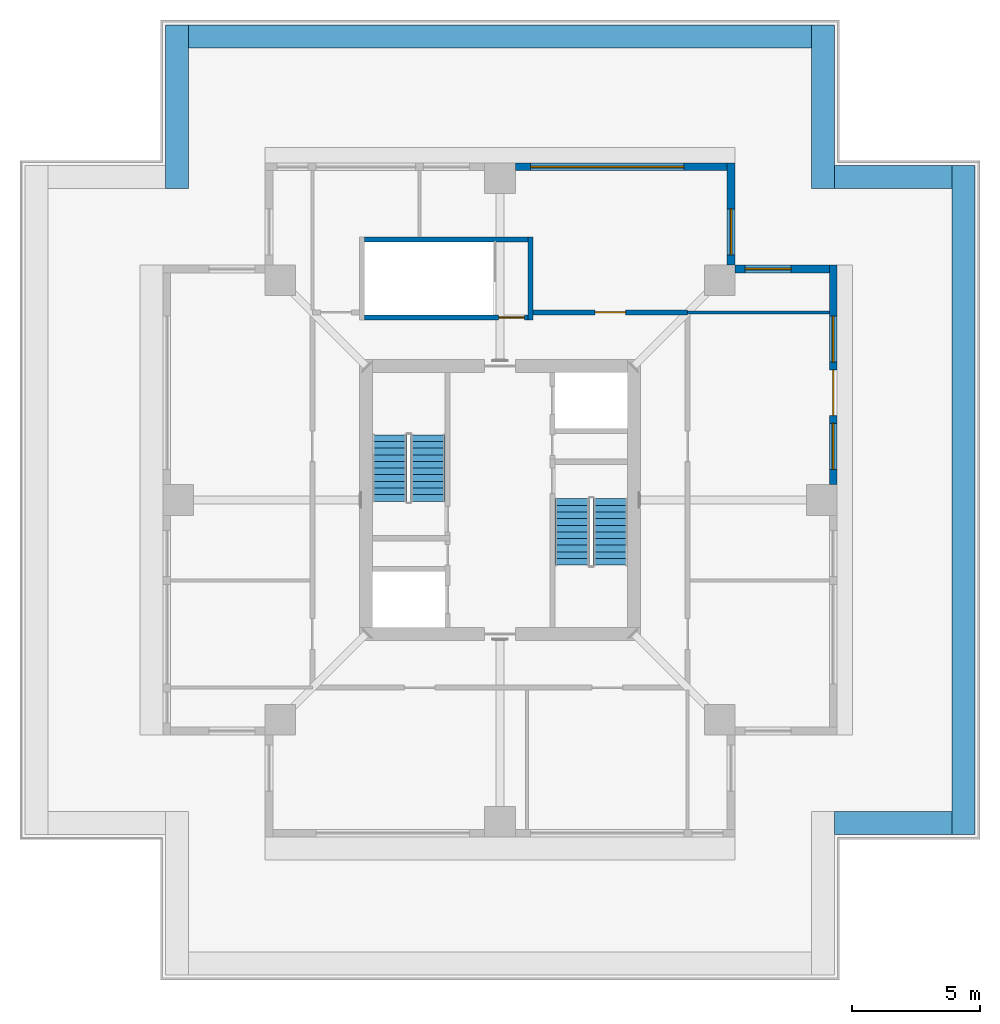
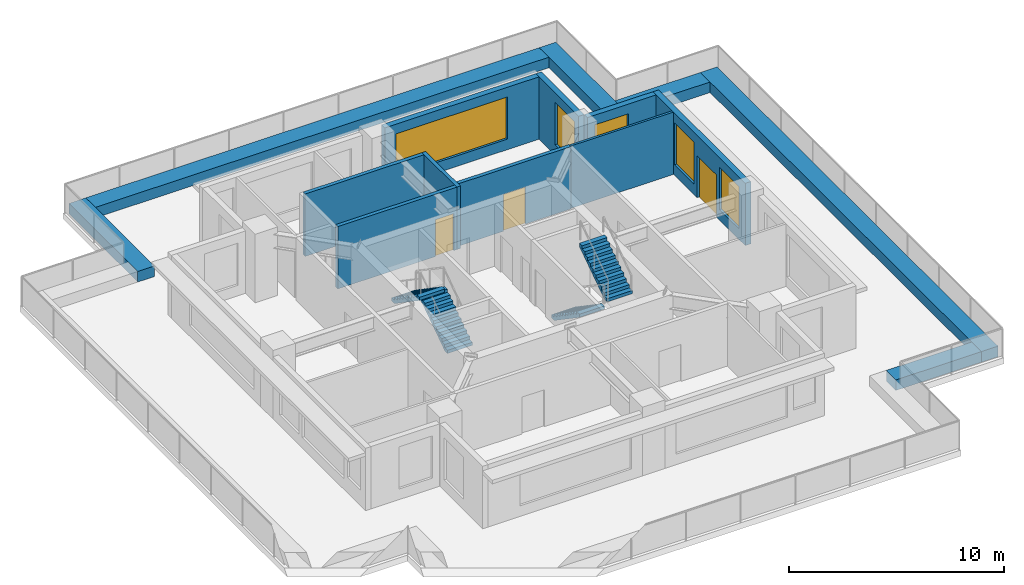
# One storey, part 5 of 8: 15 walls, 5 windows, 4 stair flights, 3 doors, 8 openings, 2 elements without a shape of their own.
"""IFC4 building model written with IfcOpenShell, lengths in metres."""

from ifc_helpers import new_model, si_unit, direction, frame, frame_2d, origin, place, context, subcontext, project, spatial, polyline, rectangle, outline, extrude, material, layer, layer_set, type_object, element, fill, aggregate, save


model = new_model("IFC4")

# Units and contexts
model_context = context("Model", 3, precision=1e-05, world=origin(), true_north=direction((0.0, 1.0)))
body_context = subcontext(model_context, "Body", "Model", "MODEL_VIEW")
ifc_project = project(units=[si_unit("LENGTHUNIT", "METRE"), si_unit("AREAUNIT", "SQUARE_METRE"), si_unit("VOLUMEUNIT", "CUBIC_METRE"), si_unit("PLANEANGLEUNIT", "RADIAN"), si_unit("MASSUNIT", "GRAM", prefix="KILO")], contexts=[model_context])

# Site, building, storey
site_placement = place(None, origin())
site = spatial("IfcSite", under=ifc_project, at=site_placement, CompositionType="ELEMENT")
building_placement = place(site_placement, origin())
building = spatial("IfcBuilding", under=site, at=building_placement, Name="Khepri Terraces", CompositionType="ELEMENT")
storey_placement = place(building_placement, frame((0.0, 0.0, 312.300048828125)))
storey = spatial("IfcBuildingStorey", under=building, at=storey_placement, Name="L75", CompositionType="ELEMENT", Elevation=312.300048828125)

# Wall
ifc_material_1 = material(Name="Concrete C40/50", Category="concrete")
ifc_layer_1 = layer(ifc_material_1, 0.199951171875, Name="Concrete C40/50", Category="concrete")
ifc_layer_set_1 = layer_set([ifc_layer_1], Name="Concrete C40/50")
wall_type_1 = type_object("IfcWallType", Name="Core wall 200 C40/50", PredefinedType="SHEAR", material=ifc_layer_set_1)
wall_1_placement = place(storey_placement, frame((1.199951171875, 7.050048828125, 0.0), z_axis=(0.0, 0.0, 1.0), x_axis=(0.0, 1.0, 0.0)))
element("IfcWall", 1, at=wall_1_placement, inside=storey, type_object=wall_type_1, Name="Core wall S3E L75", PredefinedType="SHEAR", context=body_context, shape_type="SweptSolid", body=[
    extrude(rectangle(XDim=3.25, YDim=0.199951171875, at=frame_2d((1.625, 0.0))), origin(), (0.0, 0.0, 1.0), 3.550048828125),
])

# Wall, opening, door
wall_2_placement = place(storey_placement, frame((-5.300048828125, 7.14990234375, 0.0), z_axis=(0.0, 0.0, 1.0), x_axis=(1.0, 0.0, 0.0)))
wall_2 = element("IfcWall", 2, at=wall_2_placement, inside=storey, type_object=wall_type_1, Name="Core wall S3S L75", PredefinedType="SHEAR", context=body_context, shape_type="SweptSolid", body=[
    extrude(rectangle(XDim=6.400146484375, YDim=0.199951171875, at=frame_2d((3.2001953125, 0.0))), origin(), (0.0, 0.0, 1.0), 3.550048828125),
])
opening_1_placement = place(wall_2_placement, frame((5.25, 0.0, 0.0)))
opening_1 = element("IfcOpeningElement", 3, at=opening_1_placement, cuts=wall_2, Name="Opening L75-C07", PredefinedType="OPENING", context=body_context, shape_type="SweptSolid", body=[
    extrude(rectangle(XDim=1.0, YDim=2.10009765625, at=frame_2d((0.5, 1.050048828125))), frame((0.0, 0.10986328125, 0.0), z_axis=(0.0, -1.0, 0.0), x_axis=(1.0, 0.0, 0.0)), (0.0, 0.0, 1.0), 0.219970703125),
])
ifc_material_2 = material(Name="Painted steel", Category="steel")
door_type_1 = type_object("IfcDoorType", Name="DR-CORE-STAIR-1000", OperationType="NOTDEFINED", PredefinedType="DOOR", material=ifc_material_2)
door_1_placement = place(opening_1_placement, origin())
door_1 = element("IfcDoor", 4, at=door_1_placement, inside=storey, type_object=door_type_1, Name="Stair door L75-C07", OperationType="SINGLE_SWING_RIGHT", OverallHeight=2.10009765625, OverallWidth=1.0, PredefinedType="DOOR", context=body_context, shape_type="SweptSolid", body=[
    extrude(rectangle(XDim=1.0, YDim=2.10009765625, at=frame_2d((0.5, 1.050048828125))), frame((0.0, 0.02490234375, 0.0), z_axis=(0.0, -1.0, 0.0), x_axis=(1.0, 0.0, 0.0)), (0.0, 0.0, 1.0), 0.050048828125),
])
fill(opening_1, door_1)

# Wall
wall_3_placement = place(storey_placement, frame((-5.300048828125, 10.199951171875, 0.0), z_axis=(0.0, 0.0, 1.0), x_axis=(1.0, 0.0, 0.0)))
element("IfcWall", 5, at=wall_3_placement, inside=storey, type_object=wall_type_1, Name="Core wall S3N L75", PredefinedType="SHEAR", context=body_context, shape_type="SweptSolid", body=[
    extrude(rectangle(XDim=6.400146484375, YDim=0.199951171875, at=frame_2d((3.2001953125, 0.0))), origin(), (0.0, 0.0, 1.0), 3.550048828125),
])

# Wall, opening, door
ifc_material_3 = material(Name="Fire-rated gypsum plasterboard partition, mineral wool")
ifc_layer_2 = layer(ifc_material_3, 0.199951171875, Name="Fire-rated gypsum plasterboard partition, mineral wool")
ifc_layer_set_2 = layer_set([ifc_layer_2], Name="Fire-rated gypsum plasterboard partition, mineral wool")
wall_type_2 = type_object("IfcWallType", Name="WL-CORR-200", PredefinedType="PARTITIONING", material=ifc_layer_set_2)
wall_4_placement = place(storey_placement, frame((1.300048828125, 7.35009765625, 0.0), z_axis=(0.0, 0.0, 1.0), x_axis=(1.0, 0.0, 0.0)))
wall_4 = element("IfcWall", 6, at=wall_4_placement, inside=storey, type_object=wall_type_2, Name="Partition P-010 L75", PredefinedType="PARTITIONING", context=body_context, shape_type="SweptSolid", body=[
    extrude(rectangle(XDim=6.050048828125, YDim=0.199951171875, at=frame_2d((3.02490234375, 0.0))), origin(), (0.0, 0.0, 1.0), 3.550048828125),
])
opening_2_placement = place(wall_4_placement, frame((2.425048828125, 0.0, 0.0)))
opening_2 = element("IfcOpeningElement", 7, at=opening_2_placement, cuts=wall_4, Name="Opening D6", PredefinedType="OPENING", context=body_context, shape_type="SweptSolid", body=[
    extrude(rectangle(XDim=1.199951171875, YDim=2.10009765625, at=frame_2d((0.60009765625, 1.050048828125))), frame((0.0, 0.10986328125, 0.0), z_axis=(0.0, -1.0, 0.0), x_axis=(1.0, 0.0, 0.0)), (0.0, 0.0, 1.0), 0.219970703125),
])
ifc_material_4 = material(Name="Timber door leaf, public room, fire-rated", Category="wood")
door_type_2 = type_object("IfcDoorType", Name="DR-PUB-1200", OperationType="NOTDEFINED", PredefinedType="DOOR", material=ifc_material_4)
door_2_placement = place(opening_2_placement, origin())
door_2 = element("IfcDoor", 8, at=door_2_placement, inside=storey, type_object=door_type_2, Name="Door Residents Library", OperationType="SINGLE_SWING_LEFT", OverallHeight=2.10009765625, OverallWidth=1.199951171875, PredefinedType="DOOR", context=body_context, shape_type="SweptSolid", body=[
    extrude(rectangle(XDim=1.199951171875, YDim=2.10009765625, at=frame_2d((0.60009765625, 1.050048828125))), frame((0.0, 0.02490234375, 0.0), z_axis=(0.0, -1.0, 0.0), x_axis=(1.0, 0.0, 0.0)), (0.0, 0.0, 1.0), 0.050048828125),
])
fill(opening_2, door_2)

# Wall, openings, door, windows
ifc_material_5 = material(Name="Precast concrete C50/60 warm stone", Category="masonry")
ifc_layer_3 = layer(ifc_material_5, 0.300048828125, Name="Precast concrete C50/60 warm stone", Category="masonry")
ifc_layer_set_3 = layer_set([ifc_layer_3], Name="Precast concrete C50/60 warm stone")
wall_type_3 = type_object("IfcWallType", Name="WL-EXT-PRECAST-300", PredefinedType="STANDARD", material=ifc_layer_set_3)
wall_5_placement = place(storey_placement, frame((13.050048828125, 0.60009765625, 0.0), z_axis=(0.0, 0.0, 1.0), x_axis=(0.0, 1.0, 0.0)))
wall_5 = element("IfcWall", 9, at=wall_5_placement, inside=storey, type_object=wall_type_3, Name="External wall L75 E", PredefinedType="STANDARD", context=body_context, shape_type="SweptSolid", body=[
    extrude(rectangle(XDim=8.599853515625, YDim=0.300048828125, at=frame_2d((4.2998046875, 0.0))), origin(), (0.0, 0.0, 1.0), 3.550048828125),
])
opening_3_placement = place(wall_5_placement, frame((0.60009765625, 0.0, 0.60009765625)))
opening_3 = element("IfcOpeningElement", 10, at=opening_3_placement, cuts=wall_5, Name="Opening WC1", PredefinedType="OPENING", context=body_context, shape_type="SweptSolid", body=[
    extrude(rectangle(XDim=1.800048828125, YDim=2.39990234375, at=frame_2d((0.89990234375, 1.199951171875))), frame((0.0, 0.16015625, 0.0), z_axis=(0.0, -1.0, 0.0), x_axis=(1.0, 0.0, 0.0)), (0.0, 0.0, 1.0), 0.320068359375),
])
opening_4_placement = place(wall_5_placement, frame((2.699951171875, 0.0, 0.0)))
opening_4 = element("IfcOpeningElement", 11, at=opening_4_placement, cuts=wall_5, Name="Opening ED-L75-01", PredefinedType="OPENING", context=body_context, shape_type="SweptSolid", body=[
    extrude(rectangle(XDim=1.800048828125, YDim=2.39990234375, at=frame_2d((0.89990234375, 1.199951171875))), frame((0.0, 0.16015625, 0.0), z_axis=(0.0, -1.0, 0.0), x_axis=(1.0, 0.0, 0.0)), (0.0, 0.0, 1.0), 0.320068359375),
])
opening_5_placement = place(wall_5_placement, frame((4.800048828125, 0.0, 0.60009765625)))
opening_5 = element("IfcOpeningElement", 12, at=opening_5_placement, cuts=wall_5, Name="Opening WC1", PredefinedType="OPENING", context=body_context, shape_type="SweptSolid", body=[
    extrude(rectangle(XDim=1.800048828125, YDim=2.39990234375, at=frame_2d((0.89990234375, 1.199951171875))), frame((0.0, 0.16015625, 0.0), z_axis=(0.0, -1.0, 0.0), x_axis=(1.0, 0.0, 0.0)), (0.0, 0.0, 1.0), 0.320068359375),
])
ifc_material_6 = material(Name="Anodised aluminium bronze glazed door", Category="aluminium")
door_type_3 = type_object("IfcDoorType", Name="DR-BAL-SLIDE-1800x2400", OperationType="NOTDEFINED", PredefinedType="DOOR", material=ifc_material_6)
door_3_placement = place(opening_4_placement, origin())
door_3 = element("IfcDoor", 13, at=door_3_placement, inside=storey, type_object=door_type_3, Name="Balcony door L75 E", OperationType="SLIDING_TO_LEFT", OverallHeight=2.39990234375, OverallWidth=1.800048828125, PredefinedType="DOOR", context=body_context, shape_type="SweptSolid", body=[
    extrude(rectangle(XDim=1.800048828125, YDim=2.39990234375, at=frame_2d((0.89990234375, 1.199951171875))), frame((0.0, 0.02490234375, 0.0), z_axis=(0.0, -1.0, 0.0), x_axis=(1.0, 0.0, 0.0)), (0.0, 0.0, 1.0), 0.050048828125),
])
fill(opening_4, door_3)
ifc_material_7 = material(Name="Clear glass", Category="glass")
window_type_1 = type_object("IfcWindowType", Name="WIN-CRN-1800x2400", PartitioningType="SINGLE_PANEL", PredefinedType="WINDOW", material=ifc_material_7)
window_1_placement = place(opening_3_placement, origin())
window_1 = element("IfcWindow", 14, at=window_1_placement, inside=storey, type_object=window_type_1, Name="Window L75 E", OverallHeight=2.39990234375, OverallWidth=1.800048828125, PartitioningType="SINGLE_PANEL", PredefinedType="WINDOW", context=body_context, shape_type="SweptSolid", body=[
    extrude(rectangle(XDim=1.800048828125, YDim=2.39990234375, at=frame_2d((0.89990234375, 1.199951171875))), frame((0.0, 0.030029296875, 0.0), z_axis=(0.0, -1.0, 0.0), x_axis=(1.0, 0.0, 0.0)), (0.0, 0.0, 1.0), 0.06005859375),
])
fill(opening_3, window_1)
window_2_placement = place(opening_5_placement, origin())
window_2 = element("IfcWindow", 15, at=window_2_placement, inside=storey, type_object=window_type_1, Name="Window L75 E", OverallHeight=2.39990234375, OverallWidth=1.800048828125, PartitioningType="SINGLE_PANEL", PredefinedType="WINDOW", context=body_context, shape_type="SweptSolid", body=[
    extrude(rectangle(XDim=1.800048828125, YDim=2.39990234375, at=frame_2d((0.89990234375, 1.199951171875))), frame((0.0, 0.030029296875, 0.0), z_axis=(0.0, -1.0, 0.0), x_axis=(1.0, 0.0, 0.0)), (0.0, 0.0, 1.0), 0.06005859375),
])
fill(opening_5, window_2)

# Wall, opening, window
wall_6_placement = place(storey_placement, frame((12.89990234375, 9.050048828125, 0.0), z_axis=(0.0, 0.0, 1.0), x_axis=(-1.0, 0.0, 0.0)))
wall_6 = element("IfcWall", 16, at=wall_6_placement, inside=storey, type_object=wall_type_3, Name="External wall L75 N", PredefinedType="STANDARD", context=body_context, shape_type="SweptSolid", body=[
    extrude(rectangle(XDim=3.699951171875, YDim=0.300048828125, at=frame_2d((1.85009765625, 0.0))), origin(), (0.0, 0.0, 1.0), 3.550048828125),
])
opening_6_placement = place(wall_6_placement, frame((1.5, 0.0, 0.60009765625)))
opening_6 = element("IfcOpeningElement", 17, at=opening_6_placement, cuts=wall_6, Name="Opening WC1", PredefinedType="OPENING", context=body_context, shape_type="SweptSolid", body=[
    extrude(rectangle(XDim=1.800048828125, YDim=2.39990234375, at=frame_2d((0.89990234375, 1.199951171875))), frame((0.0, 0.16015625, 0.0), z_axis=(0.0, -1.0, 0.0), x_axis=(1.0, 0.0, 0.0)), (0.0, 0.0, 1.0), 0.320068359375),
])
window_3_placement = place(opening_6_placement, origin())
window_3 = element("IfcWindow", 18, at=window_3_placement, inside=storey, type_object=window_type_1, Name="Window L75 N", OverallHeight=2.39990234375, OverallWidth=1.800048828125, PartitioningType="SINGLE_PANEL", PredefinedType="WINDOW", context=body_context, shape_type="SweptSolid", body=[
    extrude(rectangle(XDim=1.800048828125, YDim=2.39990234375, at=frame_2d((0.89990234375, 1.199951171875))), frame((0.0, 0.030029296875, 0.0), z_axis=(0.0, -1.0, 0.0), x_axis=(1.0, 0.0, 0.0)), (0.0, 0.0, 1.0), 0.06005859375),
])
fill(opening_6, window_3)

wall_7_placement = place(storey_placement, frame((9.050048828125, 9.199951171875, 0.0), z_axis=(0.0, 0.0, 1.0), x_axis=(0.0, 1.0, 0.0)))
wall_7 = element("IfcWall", 19, at=wall_7_placement, inside=storey, type_object=wall_type_3, Name="External wall L75 E", PredefinedType="STANDARD", context=body_context, shape_type="SweptSolid", body=[
    extrude(rectangle(XDim=4.0, YDim=0.300048828125, at=frame_2d((2.0, 0.0))), origin(), (0.0, 0.0, 1.0), 3.550048828125),
])
opening_7_placement = place(wall_7_placement, frame((0.39990234375, 0.0, 0.60009765625)))
opening_7 = element("IfcOpeningElement", 20, at=opening_7_placement, cuts=wall_7, Name="Opening WC1", PredefinedType="OPENING", context=body_context, shape_type="SweptSolid", body=[
    extrude(rectangle(XDim=1.800048828125, YDim=2.39990234375, at=frame_2d((0.89990234375, 1.199951171875))), frame((0.0, 0.16015625, 0.0), z_axis=(0.0, -1.0, 0.0), x_axis=(1.0, 0.0, 0.0)), (0.0, 0.0, 1.0), 0.320068359375),
])
window_4_placement = place(opening_7_placement, origin())
window_4 = element("IfcWindow", 21, at=window_4_placement, inside=storey, type_object=window_type_1, Name="Window L75 E", OverallHeight=2.39990234375, OverallWidth=1.800048828125, PartitioningType="SINGLE_PANEL", PredefinedType="WINDOW", context=body_context, shape_type="SweptSolid", body=[
    extrude(rectangle(XDim=1.800048828125, YDim=2.39990234375, at=frame_2d((0.89990234375, 1.199951171875))), frame((0.0, 0.030029296875, 0.0), z_axis=(0.0, -1.0, 0.0), x_axis=(1.0, 0.0, 0.0)), (0.0, 0.0, 1.0), 0.06005859375),
])
fill(opening_7, window_4)

wall_8_placement = place(storey_placement, frame((8.89990234375, 13.050048828125, 0.0), z_axis=(0.0, 0.0, 1.0), x_axis=(-1.0, 0.0, 0.0)))
wall_8 = element("IfcWall", 22, at=wall_8_placement, inside=storey, type_object=wall_type_3, Name="External wall L75 N", PredefinedType="STANDARD", context=body_context, shape_type="SweptSolid", body=[
    extrude(rectangle(XDim=8.2998046875, YDim=0.300048828125, at=frame_2d((4.14990234375, 0.0))), origin(), (0.0, 0.0, 1.0), 3.550048828125),
])
opening_8_placement = place(wall_8_placement, frame((1.699951171875, 0.0, 0.60009765625)))
opening_8 = element("IfcOpeningElement", 23, at=opening_8_placement, cuts=wall_8, Name="Opening WC3", PredefinedType="OPENING", context=body_context, shape_type="SweptSolid", body=[
    extrude(rectangle(XDim=6.0, YDim=2.39990234375, at=frame_2d((3.0, 1.199951171875))), frame((0.0, 0.16015625, 0.0), z_axis=(0.0, -1.0, 0.0), x_axis=(1.0, 0.0, 0.0)), (0.0, 0.0, 1.0), 0.320068359375),
])
window_type_2 = type_object("IfcWindowType", Name="WIN-CRN-6000x2400", PartitioningType="SINGLE_PANEL", PredefinedType="WINDOW", material=ifc_material_7)
window_5_placement = place(opening_8_placement, origin())
window_5 = element("IfcWindow", 24, at=window_5_placement, inside=storey, type_object=window_type_2, Name="Window L75 N", OverallHeight=2.39990234375, OverallWidth=6.0, PartitioningType="SINGLE_PANEL", PredefinedType="WINDOW", context=body_context, shape_type="SweptSolid", body=[
    extrude(rectangle(XDim=6.0, YDim=2.39990234375, at=frame_2d((3.0, 1.199951171875))), frame((0.0, 0.030029296875, 0.0), z_axis=(0.0, -1.0, 0.0), x_axis=(1.0, 0.0, 0.0)), (0.0, 0.0, 1.0), 0.06005859375),
])
fill(opening_8, window_5)

# Walls
ifc_material_8 = material(Name="Gypsum plasterboard partition")
ifc_layer_4 = layer(ifc_material_8, 0.1201171875, Name="Gypsum plasterboard partition")
ifc_layer_set_4 = layer_set([ifc_layer_4], Name="Gypsum plasterboard partition")
wall_type_4 = type_object("IfcWallType", Name="WL-PART-120", PredefinedType="PARTITIONING", material=ifc_layer_set_4)
wall_9_placement = place(storey_placement, frame((7.35009765625, 7.35009765625, 0.0), z_axis=(0.0, 0.0, 1.0), x_axis=(1.0, 0.0, 0.0)))
element("IfcWall", 25, at=wall_9_placement, inside=storey, type_object=wall_type_4, Name="Partition P-011 L75", PredefinedType="PARTITIONING", context=body_context, shape_type="SweptSolid", body=[
    extrude(rectangle(XDim=5.5498046875, YDim=0.1201171875, at=frame_2d((2.77490234375, 0.0))), origin(), (0.0, 0.0, 1.0), 3.550048828125),
])
ifc_layer_5 = layer(ifc_material_5, 0.89990234375, Name="Precast concrete C50/60 warm stone", Category="masonry")
ifc_layer_set_5 = layer_set([ifc_layer_5], Name="Precast concrete C50/60 warm stone")
wall_type_5 = type_object("IfcWallType", Name="WL-PLANTER-900", PredefinedType="MOVABLE", material=ifc_layer_set_5)
wall_10_placement = place(storey_placement, frame((-12.64990234375, 12.199951171875, 0.0), z_axis=(0.0, 0.0, 1.0), x_axis=(0.0, 1.0, 0.0)))
element("IfcWall", 26, at=wall_10_placement, inside=storey, type_object=wall_type_5, Name="Planter L75", PredefinedType="MOVABLE", context=body_context, shape_type="SweptSolid", body=[
    extrude(rectangle(XDim=6.400146484375, YDim=0.89990234375, at=frame_2d((3.2001953125, 0.0))), origin(), (0.0, 0.0, 1.0), 0.599853515625),
])
wall_11_placement = place(storey_placement, frame((-12.199951171875, 18.14990234375, 0.0), z_axis=(0.0, 0.0, 1.0), x_axis=(1.0, 0.0, 0.0)))
element("IfcWall", 27, at=wall_11_placement, inside=storey, type_object=wall_type_5, Name="Planter L75", PredefinedType="MOVABLE", context=body_context, shape_type="SweptSolid", body=[
    extrude(rectangle(XDim=24.39990234375, YDim=0.89990234375, at=frame_2d((12.199951171875, 0.0))), origin(), (0.0, 0.0, 1.0), 0.599853515625),
])
wall_12_placement = place(storey_placement, frame((12.64990234375, 12.199951171875, 0.0), z_axis=(0.0, 0.0, 1.0), x_axis=(0.0, 1.0, 0.0)))
element("IfcWall", 28, at=wall_12_placement, inside=storey, type_object=wall_type_5, Name="Planter L75", PredefinedType="MOVABLE", context=body_context, shape_type="SweptSolid", body=[
    extrude(rectangle(XDim=6.400146484375, YDim=0.89990234375, at=frame_2d((3.2001953125, 0.0))), origin(), (0.0, 0.0, 1.0), 0.599853515625),
])
for number, where, z_axis, x_axis, name in (
    (29, (13.10009765625, 12.64990234375, 0.0), (0.0, 0.0, 1.0), (1.0, 0.0, 0.0), "Planter L75"),
    (30, (13.10009765625, -12.64990234375, 0.0), (0.0, 0.0, 1.0), (1.0, 0.0, 0.0), "Planter L75"),
):
    element("IfcWall", number, at=place(storey_placement, frame(where, z_axis=z_axis, x_axis=x_axis)), inside=storey, type_object=wall_type_5, Name=name, PredefinedType="MOVABLE", context=body_context, shape_type="SweptSolid", body=[
        extrude(rectangle(XDim=4.599853515625, YDim=0.89990234375, at=frame_2d((2.2998046875, 0.0))), origin(), (0.0, 0.0, 1.0), 0.599853515625),
    ])
wall_13_placement = place(storey_placement, frame((18.14990234375, -13.10009765625, 0.0), z_axis=(0.0, 0.0, 1.0), x_axis=(0.0, 1.0, 0.0)))
element("IfcWall", 31, at=wall_13_placement, inside=storey, type_object=wall_type_5, Name="Planter L75", PredefinedType="MOVABLE", context=body_context, shape_type="SweptSolid", body=[
    extrude(rectangle(XDim=26.2001953125, YDim=0.89990234375, at=frame_2d((13.10009765625, 0.0))), origin(), (0.0, 0.0, 1.0), 0.599853515625),
])

# Stair, stair flights
stair_type = type_object("IfcStairType", Name="STAIR-RC-22R", PredefinedType="HALF_TURN_STAIR", material=ifc_material_1)
stair_1_placement = place(storey_placement, origin())
stair_1 = element("IfcStair", 32, at=stair_1_placement, inside=storey, type_object=stair_type, Name="L75 Exit Stair ST-1", PredefinedType="HALF_TURN_STAIR")
stair_flight_type = type_object("IfcStairFlightType", Name="SFL-RC-177.3", PredefinedType="STRAIGHT", material=ifc_material_1)
stair_flight_1_placement = place(storey_placement, frame((-2.824951171875, -0.050048828125, 0.0), z_axis=(0.0, 0.0, 1.0), x_axis=(0.0, 1.0, 0.0)))
stair_flight_1 = element("IfcStairFlight", 33, at=stair_flight_1_placement, type_object=stair_flight_type, Name="ST-1 flight 1", NumberOfRisers=11, NumberOfTreads=10, PredefinedType="STRAIGHT", RiserHeight=0.177272727, TreadLength=0.26, context=body_context, shape_type="SweptSolid", body=[
    extrude(outline(polyline([(0.0, 0.0), (0.0, 0.17724609375), (0.260009765625, 0.17724609375), (0.260009765625, 0.3544921875), (0.52001953125, 0.3544921875), (0.52001953125, 0.53173828125), (0.780029296875, 0.53173828125), (0.780029296875, 0.708984375), (1.0400390625, 0.708984375), (1.0400390625, 0.886474609375), (1.300048828125, 0.886474609375), (1.300048828125, 1.063720703125), (1.56005859375, 1.063720703125), (1.56005859375, 1.240966796875), (1.820068359375, 1.240966796875), (1.820068359375, 1.418212890625), (2.080078125, 1.418212890625), (2.080078125, 1.595458984375), (2.340087890625, 1.595458984375), (2.340087890625, 1.772705078125), (2.60009765625, 1.772705078125), (2.60009765625, 1.949951171875), (2.60009765625, 1.59130859375), (0.26611328125, 0.0), (0.0, 0.0)])), frame((0.0, 0.675048828125, 0.0), z_axis=(0.0, -1.0, 0.0), x_axis=(1.0, 0.0, 0.0)), (0.0, 0.0, 1.0), 1.35009765625),
])
stair_flight_2_placement = place(storey_placement, frame((-4.324951171875, 2.550048828125, 1.949951171875), z_axis=(0.0, 0.0, 1.0), x_axis=(0.0, -1.0, 0.0)))
stair_flight_2 = element("IfcStairFlight", 34, at=stair_flight_2_placement, type_object=stair_flight_type, Name="ST-1 flight 2", NumberOfRisers=11, NumberOfTreads=10, PredefinedType="STRAIGHT", RiserHeight=0.177272727, TreadLength=0.26, context=body_context, shape_type="SweptSolid", body=[
    extrude(outline(polyline([(0.0, 0.0), (0.0, 0.17724609375), (0.260009765625, 0.17724609375), (0.260009765625, 0.3544921875), (0.52001953125, 0.3544921875), (0.52001953125, 0.53173828125), (0.780029296875, 0.53173828125), (0.780029296875, 0.708984375), (1.0400390625, 0.708984375), (1.0400390625, 0.886474609375), (1.300048828125, 0.886474609375), (1.300048828125, 1.063720703125), (1.56005859375, 1.063720703125), (1.56005859375, 1.240966796875), (1.820068359375, 1.240966796875), (1.820068359375, 1.418212890625), (2.080078125, 1.418212890625), (2.080078125, 1.595458984375), (2.340087890625, 1.595458984375), (2.340087890625, 1.772705078125), (2.60009765625, 1.772705078125), (2.60009765625, 1.949951171875), (2.60009765625, 1.59130859375), (0.26611328125, 0.0), (0.0, 0.0)])), frame((0.0, 0.675048828125, 0.0), z_axis=(0.0, -1.0, 0.0), x_axis=(1.0, 0.0, 0.0)), (0.0, 0.0, 1.0), 1.35009765625),
])
aggregate(stair_1, [stair_flight_1, stair_flight_2])

stair_2_placement = place(storey_placement, origin())
stair_2 = element("IfcStair", 35, at=stair_2_placement, inside=storey, type_object=stair_type, Name="L75 Exit Stair ST-2", PredefinedType="HALF_TURN_STAIR")
stair_flight_3_placement = place(storey_placement, frame((2.824951171875, 0.050048828125, 0.0), z_axis=(0.0, 0.0, 1.0), x_axis=(0.0, -1.0, 0.0)))
stair_flight_3 = element("IfcStairFlight", 36, at=stair_flight_3_placement, type_object=stair_flight_type, Name="ST-2 flight 1", NumberOfRisers=11, NumberOfTreads=10, PredefinedType="STRAIGHT", RiserHeight=0.177272727, TreadLength=0.26, context=body_context, shape_type="SweptSolid", body=[
    extrude(outline(polyline([(0.0, 0.0), (0.0, 0.17724609375), (0.260009765625, 0.17724609375), (0.260009765625, 0.3544921875), (0.52001953125, 0.3544921875), (0.52001953125, 0.53173828125), (0.780029296875, 0.53173828125), (0.780029296875, 0.708984375), (1.0400390625, 0.708984375), (1.0400390625, 0.886474609375), (1.300048828125, 0.886474609375), (1.300048828125, 1.063720703125), (1.56005859375, 1.063720703125), (1.56005859375, 1.240966796875), (1.820068359375, 1.240966796875), (1.820068359375, 1.418212890625), (2.080078125, 1.418212890625), (2.080078125, 1.595458984375), (2.340087890625, 1.595458984375), (2.340087890625, 1.772705078125), (2.60009765625, 1.772705078125), (2.60009765625, 1.949951171875), (2.60009765625, 1.59130859375), (0.26611328125, 0.0), (0.0, 0.0)])), frame((0.0, 0.675048828125, 0.0), z_axis=(0.0, -1.0, 0.0), x_axis=(1.0, 0.0, 0.0)), (0.0, 0.0, 1.0), 1.35009765625),
])
stair_flight_4_placement = place(storey_placement, frame((4.324951171875, -2.550048828125, 1.949951171875), z_axis=(0.0, 0.0, 1.0), x_axis=(0.0, 1.0, 0.0)))
stair_flight_4 = element("IfcStairFlight", 37, at=stair_flight_4_placement, type_object=stair_flight_type, Name="ST-2 flight 2", NumberOfRisers=11, NumberOfTreads=10, PredefinedType="STRAIGHT", RiserHeight=0.177272727, TreadLength=0.26, context=body_context, shape_type="SweptSolid", body=[
    extrude(outline(polyline([(0.0, 0.0), (0.0, 0.17724609375), (0.260009765625, 0.17724609375), (0.260009765625, 0.3544921875), (0.52001953125, 0.3544921875), (0.52001953125, 0.53173828125), (0.780029296875, 0.53173828125), (0.780029296875, 0.708984375), (1.0400390625, 0.708984375), (1.0400390625, 0.886474609375), (1.300048828125, 0.886474609375), (1.300048828125, 1.063720703125), (1.56005859375, 1.063720703125), (1.56005859375, 1.240966796875), (1.820068359375, 1.240966796875), (1.820068359375, 1.418212890625), (2.080078125, 1.418212890625), (2.080078125, 1.595458984375), (2.340087890625, 1.595458984375), (2.340087890625, 1.772705078125), (2.60009765625, 1.772705078125), (2.60009765625, 1.949951171875), (2.60009765625, 1.59130859375), (0.26611328125, 0.0), (0.0, 0.0)])), frame((0.0, 0.675048828125, 0.0), z_axis=(0.0, -1.0, 0.0), x_axis=(1.0, 0.0, 0.0)), (0.0, 0.0, 1.0), 1.35009765625),
])
aggregate(stair_2, [stair_flight_3, stair_flight_4])

save(model, "model.ifc")
